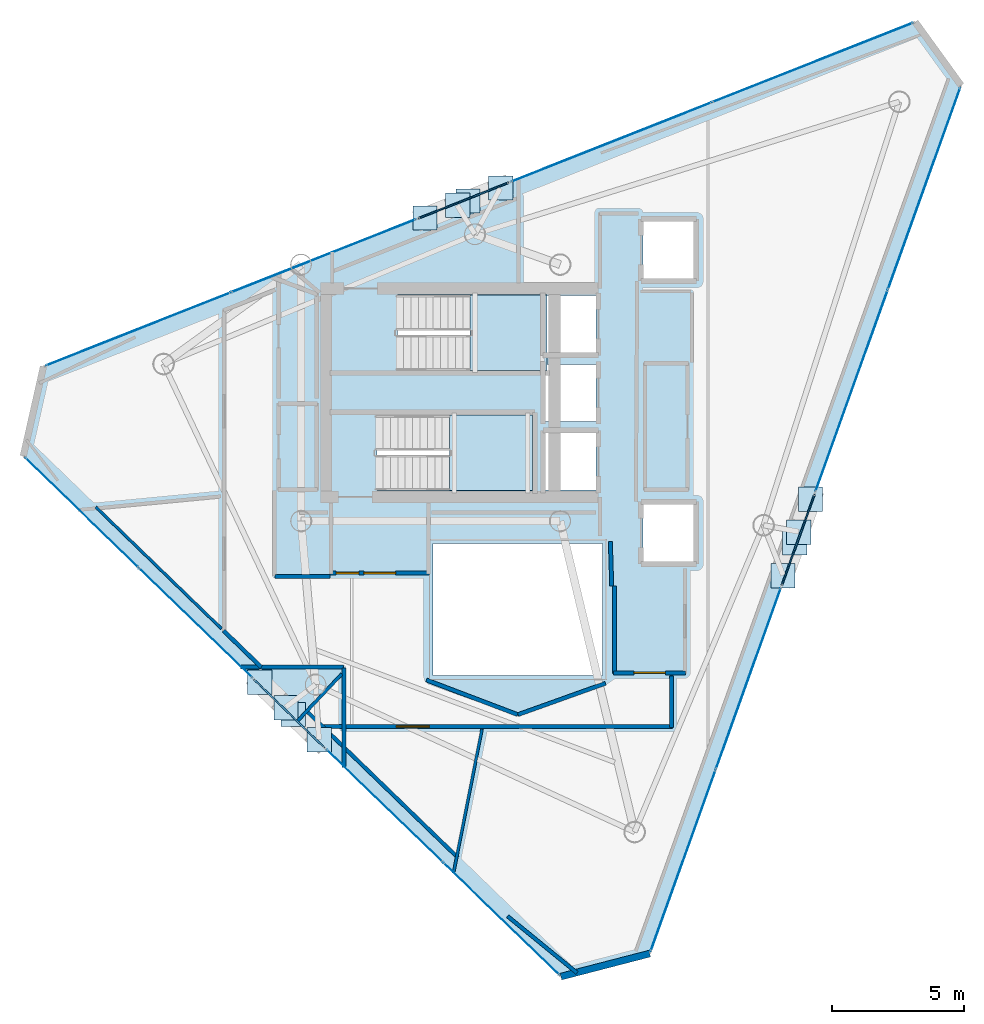
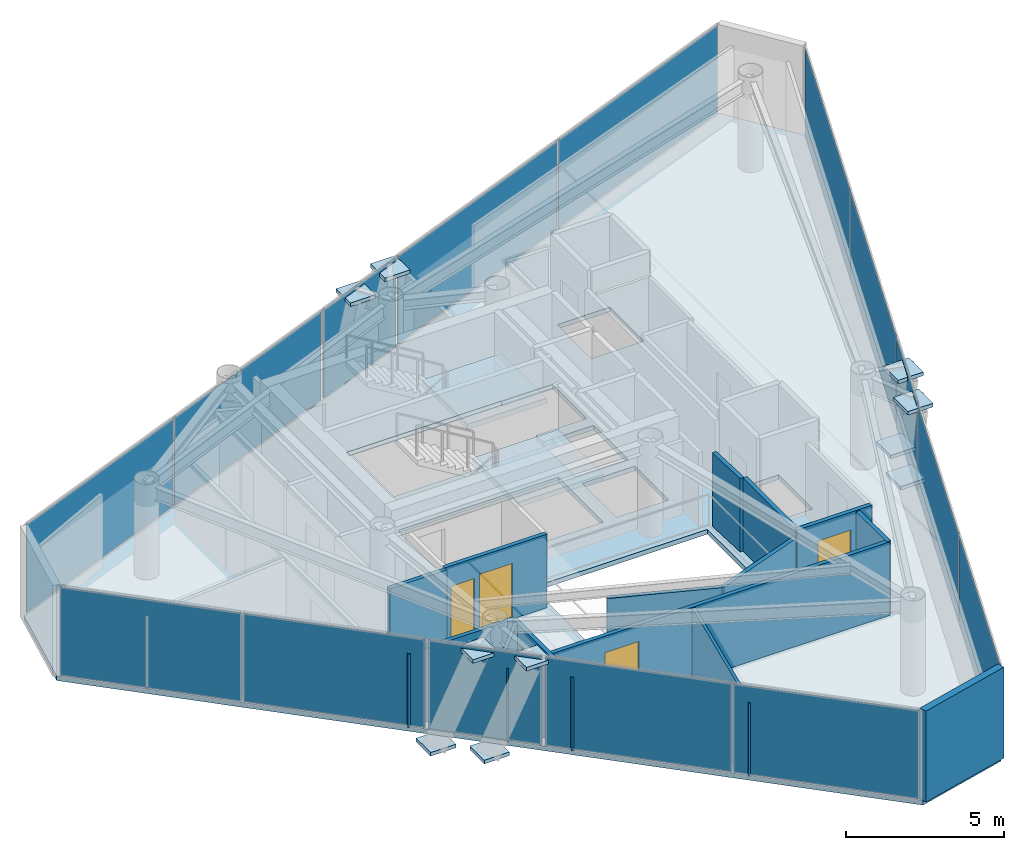
# One storey, part 15 of 19: 27 plates, 18 walls, 4 doors, 3 slabs, 4 openings, 11 elements without a shape of their own.
"""IFC4 building model written with IfcOpenShell, lengths in metres."""

from ifc_helpers import new_model, si_unit, direction, frame, frame_2d, origin, origin_2d, place, context, subcontext, project, spatial, polyline, rectangle, outline, extrude, material, layer, layer_set, type_object, element, fill, aggregate, save


model = new_model("IFC4")

# Units and contexts
model_context = context("Model", 3, precision=1e-05, world=origin(), true_north=direction((0.0, 1.0)))
body_context = subcontext(model_context, "Body", "Model", "MODEL_VIEW")
ifc_project = project(units=[si_unit("LENGTHUNIT", "METRE"), si_unit("AREAUNIT", "SQUARE_METRE"), si_unit("VOLUMEUNIT", "CUBIC_METRE"), si_unit("PLANEANGLEUNIT", "RADIAN"), si_unit("MASSUNIT", "GRAM", prefix="KILO")], contexts=[model_context])

# Site, building, storey
site_placement = place(None, origin())
site = spatial("IfcSite", under=ifc_project, at=site_placement, CompositionType="ELEMENT")
building_placement = place(site_placement, origin())
building = spatial("IfcBuilding", under=site, at=building_placement, Name="Qianvela Tower", CompositionType="ELEMENT")
storey_placement = place(building_placement, frame((0.0, 0.0, 344.39990234375)))
storey = spatial("IfcBuildingStorey", under=building, at=storey_placement, Name="L89", CompositionType="ELEMENT", Elevation=344.39990234375)

# Curtain wall, plate
ifc_material_1 = material(Name="Anodised Architectural Aluminium and Insulated Spandrel Panel", Category="aluminium")
ifc_layer_1 = layer(ifc_material_1, 0.179931640625)
ifc_layer_set_1 = layer_set([ifc_layer_1], Name="Anodised Architectural Aluminium and Insulated Spandrel Panel")
curtain_wall_type_1 = type_object("IfcCurtainWallType", Name="CW-BRACEBAY", PredefinedType="USERDEFINED", material=ifc_layer_set_1)
curtain_wall_1_placement = place(storey_placement, origin())
curtain_wall_1 = element("IfcCurtainWall", 1, at=curtain_wall_1_placement, inside=storey, type_object=curtain_wall_type_1, Name="L89 CW-BRACEBAY Curtain Wall 02B", ObjectType="CURTAIN_WALL_SYSTEM", PredefinedType="USERDEFINED")
ifc_material_2 = material(Name="Insulated Aluminium Spandrel Panel with Mineral-Wool Backpan", Category="aluminium")
ifc_layer_2 = layer(ifc_material_2, 0.06005859375)
ifc_layer_set_2 = layer_set([ifc_layer_2], Name="Insulated Aluminium Spandrel Panel with Mineral-Wool Backpan")
plate_type_1 = type_object("IfcPlateType", Name="CW-BRACEBAY-PNL", PredefinedType="CURTAIN_PANEL", material=ifc_layer_set_2)
plate_1_placement = place(storey_placement, frame((34.748779296875, 35.97412109375, 0.06494140625), z_axis=(0.0, 0.0, 1.0), x_axis=(-0.929982957315, -0.367602637508, 0.0)))
plate_1 = element("IfcPlate", 2, at=plate_1_placement, type_object=plate_type_1, Name="CW-9 panel 1.1", PredefinedType="CURTAIN_PANEL", context=body_context, shape_type="SweptSolid", body=[
    extrude(rectangle(XDim=3.659912109375, YDim=0.06005859375, at=origin_2d()), origin(), (0.0, 0.0, 1.0), 3.389892578125),
])
aggregate(curtain_wall_1, [plate_1])

curtain_wall_2_placement = place(storey_placement, origin())
curtain_wall_2 = element("IfcCurtainWall", 3, at=curtain_wall_2_placement, inside=storey, type_object=curtain_wall_type_1, Name="L89 CW-BRACEBAY Curtain Wall 04B", ObjectType="CURTAIN_WALL_SYSTEM", PredefinedType="USERDEFINED")
plate_2_placement = place(storey_placement, frame((28.157958984375, 16.563232421875, 0.06494140625), z_axis=(0.0, 0.0, 1.0), x_axis=(0.71836050155, -0.695671035628, 0.0)))
plate_2 = element("IfcPlate", 4, at=plate_2_placement, type_object=plate_type_1, Name="CW-9 panel 1.1", PredefinedType="CURTAIN_PANEL", context=body_context, shape_type="SweptSolid", body=[
    extrude(rectangle(XDim=3.699951171875, YDim=0.06005859375, at=origin_2d()), origin(), (0.0, 0.0, 1.0), 3.389892578125),
])
aggregate(curtain_wall_2, [plate_2])

curtain_wall_3_placement = place(storey_placement, origin())
curtain_wall_3 = element("IfcCurtainWall", 5, at=curtain_wall_3_placement, inside=storey, type_object=curtain_wall_type_1, Name="L89 CW-BRACEBAY Curtain Wall 06B", ObjectType="CURTAIN_WALL_SYSTEM", PredefinedType="USERDEFINED")
plate_3_placement = place(storey_placement, frame((47.403564453125, 23.142578125, 0.06494140625), z_axis=(0.0, 0.0, 1.0), x_axis=(0.337536044009, 0.94131260429, 0.0)))
plate_3 = element("IfcPlate", 6, at=plate_3_placement, type_object=plate_type_1, Name="CW-9 panel 1.1", PredefinedType="CURTAIN_PANEL", context=body_context, shape_type="SweptSolid", body=[
    extrude(rectangle(XDim=3.650146484375, YDim=0.06005859375, at=origin_2d()), origin(), (0.0, 0.0, 1.0), 3.389892578125),
])
aggregate(curtain_wall_3, [plate_3])

# Curtain wall, plates
ifc_material_3 = material(Name="Anodised Architectural Aluminium and Low-E Glass", Category="aluminium")
ifc_layer_3 = layer(ifc_material_3, 0.14990234375)
ifc_layer_set_3 = layer_set([ifc_layer_3], Name="Anodised Architectural Aluminium and Low-E Glass")
curtain_wall_type_2 = type_object("IfcCurtainWallType", Name="CW-COLIV-Z78", PredefinedType="USERDEFINED", material=ifc_layer_set_3)
curtain_wall_4_placement = place(storey_placement, origin())
curtain_wall_4 = element("IfcCurtainWall", 7, at=curtain_wall_4_placement, inside=storey, type_object=curtain_wall_type_2, Name="L89 CW-COLIV-Z78 Curtain Wall 02A", ObjectType="CURTAIN_WALL_SYSTEM", PredefinedType="USERDEFINED")
ifc_material_4 = material(Name="Double-Silver Low-E Insulated Glass", Category="glass")
ifc_layer_4 = layer(ifc_material_4, 0.02587890625)
ifc_layer_set_4 = layer_set([ifc_layer_4], Name="Double-Silver Low-E Insulated Glass")
plate_type_2 = type_object("IfcPlateType", Name="CW-COLIV-Z78-PNL", PredefinedType="CURTAIN_PANEL", material=ifc_layer_set_4)
plate_4_placement = place(storey_placement, frame((47.949951171875, 41.19189453125, 0.06005859375), z_axis=(0.0, 0.0, 1.0), x_axis=(-0.92998851339, -0.36758858111, 0.0)))
plate_4 = element("IfcPlate", 8, at=plate_4_placement, type_object=plate_type_2, Name="CW-6 panel 1.1", PredefinedType="CURTAIN_PANEL", context=body_context, shape_type="SweptSolid", body=[
    extrude(rectangle(XDim=8.119873046875, YDim=0.02587890625, at=origin_2d()), origin(), (0.0, 0.0, 1.0), 3.39990234375),
])
plate_5_placement = place(storey_placement, frame((40.3427734375, 38.18505859375, 0.06005859375), z_axis=(0.0, 0.0, 1.0), x_axis=(-0.92998851339, -0.36758858111, 0.0)))
plate_5 = element("IfcPlate", 9, at=plate_5_placement, type_object=plate_type_2, Name="CW-6 panel 2.1", PredefinedType="CURTAIN_PANEL", context=body_context, shape_type="SweptSolid", body=[
    extrude(rectangle(XDim=8.119873046875, YDim=0.02587890625, at=origin_2d()), origin(), (0.0, 0.0, 1.0), 3.39990234375),
])
aggregate(curtain_wall_4, [plate_4, plate_5])

curtain_wall_5_placement = place(storey_placement, origin())
curtain_wall_5 = element("IfcCurtainWall", 10, at=curtain_wall_5_placement, inside=storey, type_object=curtain_wall_type_2, Name="L89 CW-COLIV-Z78 Curtain Wall 02C", ObjectType="CURTAIN_WALL_SYSTEM", PredefinedType="USERDEFINED")
plate_6_placement = place(storey_placement, frame((29.45263671875, 33.880615234375, 0.06005859375), z_axis=(0.0, 0.0, 1.0), x_axis=(-0.929988552955, -0.367588481011, 0.0)))
plate_6 = element("IfcPlate", 11, at=plate_6_placement, type_object=plate_type_2, Name="CW-6 panel 1.1", PredefinedType="CURTAIN_PANEL", context=body_context, shape_type="SweptSolid", body=[
    extrude(rectangle(XDim=7.47998046875, YDim=0.02587890625, at=origin_2d()), origin(), (0.0, 0.0, 1.0), 3.39990234375),
])
plate_7_placement = place(storey_placement, frame((22.440673828125, 31.109130859375, 0.06005859375), z_axis=(0.0, 0.0, 1.0), x_axis=(-0.929988552955, -0.367588481011, 0.0)))
plate_7 = element("IfcPlate", 12, at=plate_7_placement, type_object=plate_type_2, Name="CW-6 panel 2.1", PredefinedType="CURTAIN_PANEL", context=body_context, shape_type="SweptSolid", body=[
    extrude(rectangle(XDim=7.47998046875, YDim=0.02587890625, at=origin_2d()), origin(), (0.0, 0.0, 1.0), 3.39990234375),
])
aggregate(curtain_wall_5, [plate_6, plate_7])

curtain_wall_6_placement = place(storey_placement, origin())
curtain_wall_6 = element("IfcCurtainWall", 13, at=curtain_wall_6_placement, inside=storey, type_object=curtain_wall_type_2, Name="L89 CW-COLIV-Z78 Curtain Wall 04A", ObjectType="CURTAIN_WALL_SYSTEM", PredefinedType="USERDEFINED")
plate_8_placement = place(storey_placement, frame((20.30615234375, 24.166748046875, 0.06005859375), z_axis=(0.0, 0.0, 1.0), x_axis=(0.71837355213, -0.695657559148, 0.0)))
plate_8 = element("IfcPlate", 14, at=plate_8_placement, type_object=plate_type_2, Name="CW-6 panel 1.1", PredefinedType="CURTAIN_PANEL", context=body_context, shape_type="SweptSolid", body=[
    extrude(rectangle(XDim=5.929931640625, YDim=0.02587890625, at=origin_2d()), origin(), (0.0, 0.0, 1.0), 3.39990234375),
])
plate_9_placement = place(storey_placement, frame((24.609130859375, 19.999755859375, 0.06005859375), z_axis=(0.0, 0.0, 1.0), x_axis=(0.71837355213, -0.695657559148, 0.0)))
plate_9 = element("IfcPlate", 15, at=plate_9_placement, type_object=plate_type_2, Name="CW-6 panel 2.1", PredefinedType="CURTAIN_PANEL", context=body_context, shape_type="SweptSolid", body=[
    extrude(rectangle(XDim=5.929931640625, YDim=0.02587890625, at=origin_2d()), origin(), (0.0, 0.0, 1.0), 3.39990234375),
])
aggregate(curtain_wall_6, [plate_8, plate_9])

curtain_wall_7_placement = place(storey_placement, origin())
curtain_wall_7 = element("IfcCurtainWall", 16, at=curtain_wall_7_placement, inside=storey, type_object=curtain_wall_type_2, Name="L89 CW-COLIV-Z78 Curtain Wall 04C", ObjectType="CURTAIN_WALL_SYSTEM", PredefinedType="USERDEFINED")
plate_10_placement = place(storey_placement, frame((31.759033203125, 13.07568359375, 0.06005859375), z_axis=(0.0, 0.0, 1.0), x_axis=(0.71837178289, -0.695659386156, 0.0)))
plate_10 = element("IfcPlate", 17, at=plate_10_placement, type_object=plate_type_2, Name="CW-6 panel 1.1", PredefinedType="CURTAIN_PANEL", context=body_context, shape_type="SweptSolid", body=[
    extrude(rectangle(XDim=6.076171875, YDim=0.02587890625, at=origin_2d()), origin(), (0.0, 0.0, 1.0), 3.39990234375),
])
plate_11_placement = place(storey_placement, frame((36.167236328125, 8.80712890625, 0.06005859375), z_axis=(0.0, 0.0, 1.0), x_axis=(0.71837178289, -0.695659386156, 0.0)))
plate_11 = element("IfcPlate", 18, at=plate_11_placement, type_object=plate_type_2, Name="CW-6 panel 2.1", PredefinedType="CURTAIN_PANEL", context=body_context, shape_type="SweptSolid", body=[
    extrude(rectangle(XDim=6.076171875, YDim=0.02587890625, at=origin_2d()), origin(), (0.0, 0.0, 1.0), 3.39990234375),
])
aggregate(curtain_wall_7, [plate_10, plate_11])

curtain_wall_8_placement = place(storey_placement, origin())
curtain_wall_8 = element("IfcCurtainWall", 19, at=curtain_wall_8_placement, inside=storey, type_object=curtain_wall_type_2, Name="L89 CW-COLIV-Z78 Curtain Wall 06A", ObjectType="CURTAIN_WALL_SYSTEM", PredefinedType="USERDEFINED")
plate_12_placement = place(storey_placement, frame((43.052001953125, 11.006591796875, 0.06005859375), z_axis=(0.0, 0.0, 1.0), x_axis=(0.337537550351, 0.941312064144, 0.0)))
plate_12 = element("IfcPlate", 20, at=plate_12_placement, type_object=plate_type_2, Name="CW-6 panel 1.1", PredefinedType="CURTAIN_PANEL", context=body_context, shape_type="SweptSolid", body=[
    extrude(rectangle(XDim=7.2548828125, YDim=0.02587890625, at=origin_2d()), origin(), (0.0, 0.0, 1.0), 3.39990234375),
])
plate_13_placement = place(storey_placement, frame((45.52099609375, 17.892333984375, 0.06005859375), z_axis=(0.0, 0.0, 1.0), x_axis=(0.337537550351, 0.941312064144, 0.0)))
plate_13 = element("IfcPlate", 21, at=plate_13_placement, type_object=plate_type_2, Name="CW-6 panel 2.1", PredefinedType="CURTAIN_PANEL", context=body_context, shape_type="SweptSolid", body=[
    extrude(rectangle(XDim=7.2548828125, YDim=0.02587890625, at=origin_2d()), origin(), (0.0, 0.0, 1.0), 3.39990234375),
])
aggregate(curtain_wall_8, [plate_12, plate_13])

curtain_wall_9_placement = place(storey_placement, origin())
curtain_wall_9 = element("IfcCurtainWall", 22, at=curtain_wall_9_placement, inside=storey, type_object=curtain_wall_type_2, Name="L89 CW-COLIV-Z78 Curtain Wall 06C", ObjectType="CURTAIN_WALL_SYSTEM", PredefinedType="USERDEFINED")
plate_14_placement = place(storey_placement, frame((49.42333984375, 28.77490234375, 0.06005859375), z_axis=(0.0, 0.0, 1.0), x_axis=(0.337537954061, 0.941311919381, 0.0)))
plate_14 = element("IfcPlate", 23, at=plate_14_placement, type_object=plate_type_2, Name="CW-6 panel 1.1", PredefinedType="CURTAIN_PANEL", context=body_context, shape_type="SweptSolid", body=[
    extrude(rectangle(XDim=8.06689453125, YDim=0.02587890625, at=origin_2d()), origin(), (0.0, 0.0, 1.0), 3.39990234375),
])
plate_15_placement = place(storey_placement, frame((52.16650390625, 36.4248046875, 0.06005859375), z_axis=(0.0, 0.0, 1.0), x_axis=(0.337537954061, 0.941311919381, 0.0)))
plate_15 = element("IfcPlate", 24, at=plate_15_placement, type_object=plate_type_2, Name="CW-6 panel 2.1", PredefinedType="CURTAIN_PANEL", context=body_context, shape_type="SweptSolid", body=[
    extrude(rectangle(XDim=8.06689453125, YDim=0.02587890625, at=origin_2d()), origin(), (0.0, 0.0, 1.0), 3.39990234375),
])
aggregate(curtain_wall_9, [plate_14, plate_15])

# Plates
ifc_material_5 = material(Name="Steel Q420GJC", Category="steel")
ifc_layer_5 = layer(ifc_material_5, 0.139892578125)
ifc_layer_set_5 = layer_set([ifc_layer_5], Name="Steel Q420GJC")
plate_type_3 = type_object("IfcPlateType", Name="PT-GUSSET-NODE-140", PredefinedType="USERDEFINED", material=ifc_layer_set_5)
for number, where, z_axis, x_axis, name in (
    (25, (34.916259765625, 35.9541015625, -0.61328125), (0.0, 0.0, 1.0), (1.0, 0.0, 0.0), "L89 Node Gusset Plate A"),
    (26, (36.156494140625, 36.4443359375, 3.20947265625), (0.0, 0.0, 1.0), (1.0, 0.0, 0.0), "L89 Node Gusset Plate B"),
    (27, (33.28662109375, 35.309814453125, -0.61328125), (0.0, 0.0, 1.0), (1.0, 0.0, 0.0), "L89 Node Gusset Plate A"),
    (28, (34.526611328125, 35.80029296875, 3.20947265625), (0.0, 0.0, 1.0), (1.0, 0.0, 0.0), "L89 Node Gusset Plate B"),
    (29, (27.042236328125, 17.7548828125, -0.61279296875), (0.0, 0.0, 1.0), (1.0, 0.0, 0.0), "L89 Node Gusset Plate A"),
    (30, (28.0341796875, 16.794189453125, 3.20947265625), (0.0, 0.0, 1.0), (1.0, 0.0, 0.0), "L89 Node Gusset Plate B"),
    (31, (28.301025390625, 16.535888671875, -0.61279296875), (0.0, 0.0, 1.0), (1.0, 0.0, 0.0), "L89 Node Gusset Plate A"),
    (32, (29.293212890625, 15.574951171875, 3.20947265625), (0.0, 0.0, 1.0), (1.0, 0.0, 0.0), "L89 Node Gusset Plate B"),
    (33, (47.278564453125, 23.03076171875, -0.61328125), (0.0, 0.0, 1.0), (1.0, 0.0, 0.0), "L89 Node Gusset Plate A"),
    (34, (46.8291015625, 21.777099609375, 3.20947265625), (0.0, 0.0, 1.0), (1.0, 0.0, 0.0), "L89 Node Gusset Plate B"),
    (35, (47.8701171875, 24.680419921875, -0.61328125), (0.0, 0.0, 1.0), (1.0, 0.0, 0.0), "L89 Node Gusset Plate A"),
    (36, (47.420654296875, 23.4267578125, 3.20947265625), (0.0, 0.0, 1.0), (1.0, 0.0, 0.0), "L89 Node Gusset Plate B"),
):
    element("IfcPlate", number, at=place(storey_placement, frame(where, z_axis=z_axis, x_axis=x_axis)), inside=storey, type_object=plate_type_3, Name=name, ObjectType="GUSSET_PLATE", PredefinedType="USERDEFINED", context=body_context, shape_type="SweptSolid", body=[
        extrude(rectangle(XDim=0.919921875, YDim=0.919921875, at=origin_2d()), origin(), (0.0, 0.0, 1.0), 0.139892578125),
    ])

# Slab
ifc_material_6 = material(Name="Concrete C40", Category="concrete")
ifc_layer_6 = layer(ifc_material_6, 0.179931640625)
ifc_layer_set_6 = layer_set([ifc_layer_6], Name="Concrete C40")
slab_type_1 = type_object("IfcSlabType", Name="SL-FLOOR-180", PredefinedType="FLOOR", material=ifc_layer_set_6)
slab_1_placement = place(storey_placement, frame((0.0, 0.0, -0.179931640625)))
element("IfcSlab", 37, at=slab_1_placement, inside=storey, type_object=slab_type_1, Name="L89 Composite Structural Floor Slab", PredefinedType="FLOOR", context=body_context, shape_type="SweptSolid", body=[
    extrude(outline(polyline([(53.56494140625, 40.324951171875), (51.828125, 42.724853515625), (18.8603515625, 29.69384765625), (18.09716796875, 26.305908203125), (38.4287109375, 6.616943359375), (41.790283203125, 7.488525390625), (53.56494140625, 40.324951171875)]), holes=[polyline([(40.0, 23.0), (33.60009765625, 23.0), (33.60009765625, 18.0), (40.0, 18.0), (40.0, 23.0)]), polyline([(43.4599609375, 24.47998046875), (41.5400390625, 24.47998046875), (41.5400390625, 22.320068359375), (43.4599609375, 22.320068359375), (43.4599609375, 24.47998046875)]), polyline([(39.760009765625, 27.179931640625), (37.840087890625, 27.179931640625), (37.840087890625, 25.02001953125), (39.760009765625, 25.02001953125), (39.760009765625, 27.179931640625)]), polyline([(37.35009765625, 27.860107421875), (31.469970703125, 27.860107421875), (31.469970703125, 25.0), (37.35009765625, 25.0), (37.35009765625, 27.860107421875)]), polyline([(39.760009765625, 27.6201171875), (39.760009765625, 29.780029296875), (37.89990234375, 29.780029296875), (37.89990234375, 30.219970703125), (39.760009765625, 30.219970703125), (39.760009765625, 32.3798828125), (37.89990234375, 32.3798828125), (37.89990234375, 32.39990234375), (32.25, 32.39990234375), (32.25, 29.5400390625), (37.840087890625, 29.5400390625), (37.840087890625, 27.6201171875), (39.760009765625, 27.6201171875)]), polyline([(43.4599609375, 35.179931640625), (41.5400390625, 35.179931640625), (41.5400390625, 33.02001953125), (43.4599609375, 33.02001953125), (43.4599609375, 35.179931640625)])]), origin(), (0.0, 0.0, 1.0), 0.179931640625),
])

# Stair, slab
ifc_material_7 = material(Name="Concrete C40", Category="concrete")
stair_type = type_object("IfcStairType", Name="ST-DOGLEG-1350-R168-N22", PredefinedType="HALF_TURN_STAIR", material=ifc_material_7)
stair_1_placement = place(storey_placement, origin())
stair_1 = element("IfcStair", 38, at=stair_1_placement, inside=storey, type_object=stair_type, Name="L89 Smoke-Proof Core Stair ST-1", PredefinedType="HALF_TURN_STAIR")
ifc_material_8 = material(Name="Concrete C40", Category="concrete")
ifc_layer_7 = layer(ifc_material_8, 0.199951171875)
ifc_layer_set_7 = layer_set([ifc_layer_7], Name="Concrete C40")
slab_type_2 = type_object("IfcSlabType", Name="SL-STAIR-LANDING-200", PredefinedType="LANDING", material=ifc_layer_set_7)
slab_2_placement = place(storey_placement, frame((0.0, 0.0, 1.650146484375)))
slab_2 = element("IfcSlab", 39, at=slab_2_placement, type_object=slab_type_2, Name="ST-1 landing 1", PredefinedType="LANDING", context=body_context, shape_type="SweptSolid", body=[
    extrude(outline(polyline([(35.0, 29.5400390625), (37.89990234375, 29.5400390625), (37.89990234375, 32.39990234375), (35.0, 32.39990234375), (35.0, 29.5400390625)])), origin(), (0.0, 0.0, 1.0), 0.199951171875),
])
aggregate(stair_1, [slab_2])

stair_2_placement = place(storey_placement, origin())
stair_2 = element("IfcStair", 40, at=stair_2_placement, inside=storey, type_object=stair_type, Name="L89 Smoke-Proof Core Stair ST-2", PredefinedType="HALF_TURN_STAIR")
slab_3_placement = place(storey_placement, frame((0.0, 0.0, 1.650146484375)))
slab_3 = element("IfcSlab", 41, at=slab_3_placement, type_object=slab_type_2, Name="ST-2 landing 1", PredefinedType="LANDING", context=body_context, shape_type="SweptSolid", body=[
    extrude(outline(polyline([(34.219970703125, 25.0), (37.35009765625, 25.0), (37.35009765625, 27.860107421875), (34.219970703125, 27.860107421875), (34.219970703125, 25.0)])), origin(), (0.0, 0.0, 1.0), 0.199951171875),
])
aggregate(stair_2, [slab_3])

# Wall
ifc_material_9 = material(Name="Terracotta Cladding on Concrete C40", Category="masonry")
ifc_layer_8 = layer(ifc_material_9, 0.260009765625)
ifc_layer_set_8 = layer_set([ifc_layer_8], Name="Terracotta Cladding on Concrete C40")
wall_type_1 = type_object("IfcWallType", Name="TERRACOTTA-WALL-260", PredefinedType="SOLIDWALL", material=ifc_layer_set_8)
wall_1_placement = place(storey_placement, frame((38.4287109375, 6.616943359375, 0.0), z_axis=(0.0, 0.0, 1.0), x_axis=(0.967992470235, 0.250979237326, 0.0)))
element("IfcWall", 42, at=wall_1_placement, inside=storey, type_object=wall_type_1, Name="L89 Terracotta Chamfer Facet Wall 5", PredefinedType="SOLIDWALL", context=body_context, shape_type="SweptSolid", body=[
    extrude(rectangle(XDim=3.47265625, YDim=0.260009765625, at=frame_2d((1.736328125, 0.0))), origin(), (0.0, 0.0, 1.0), 3.52001953125),
])

# Wall, openings, doors
ifc_material_10 = material(Name="Fire-Rated Acoustic Gypsum Board")
ifc_layer_9 = layer(ifc_material_10, 0.14990234375)
ifc_layer_set_9 = layer_set([ifc_layer_9], Name="Fire-Rated Acoustic Gypsum Board")
wall_type_2 = type_object("IfcWallType", Name="WT-CORR-150", PredefinedType="PARTITIONING", material=ifc_layer_set_9)
wall_2_placement = place(storey_placement, frame((33.449951171875, 21.881103515625, 0.0), z_axis=(0.0, 0.0, 1.0), x_axis=(-1.0, 0.0, 0.0)))
wall_2 = element("IfcWall", 43, at=wall_2_placement, inside=storey, type_object=wall_type_2, Name="L89 Partition 5", PredefinedType="PARTITIONING", context=body_context, shape_type="SweptSolid", body=[
    extrude(rectangle(XDim=3.75, YDim=0.14990234375, at=frame_2d((1.875, 0.0))), origin(), (0.0, 0.0, 1.0), 2.840087890625),
])
opening_1_placement = place(wall_2_placement, frame((1.27490234375, 0.0, 0.0)))
opening_1 = element("IfcOpeningElement", 44, at=opening_1_placement, cuts=wall_2, Name="Opening D-LB1", PredefinedType="OPENING", context=body_context, shape_type="SweptSolid", body=[
    extrude(rectangle(XDim=1.199951171875, YDim=2.14990234375, at=frame_2d((0.60009765625, 1.074951171875))), frame((0.0, 0.0849609375, 0.0), z_axis=(0.0, -1.0, 0.0), x_axis=(1.0, 0.0, 0.0)), (0.0, 0.0, 1.0), 0.169921875),
])
opening_2_placement = place(wall_2_placement, frame((2.659912109375, 0.0, 0.0)))
opening_2 = element("IfcOpeningElement", 45, at=opening_2_placement, cuts=wall_2, Name="Opening D-LB2", PredefinedType="OPENING", context=body_context, shape_type="SweptSolid", body=[
    extrude(rectangle(XDim=0.860107421875, YDim=2.050048828125, at=frame_2d((0.43017578125, 1.02490234375))), frame((0.0, 0.0849609375, 0.0), z_axis=(0.0, -1.0, 0.0), x_axis=(1.0, 0.0, 0.0)), (0.0, 0.0, 1.0), 0.169921875),
])
ifc_material_11 = material(Name="Glazed Fire-Rated Steel Frame", Category="steel")
door_type_1 = type_object("IfcDoorType", Name="DT-LOBBY-FD90", OperationType="NOTDEFINED", PredefinedType="DOOR", material=ifc_material_11)
door_1_placement = place(opening_1_placement, origin())
door_1 = element("IfcDoor", 46, at=door_1_placement, inside=storey, type_object=door_type_1, Name="L89 Door L89 Firefighting Lobby South to L89 Floor Corridor", OperationType="SINGLE_SWING_LEFT", OverallHeight=2.14990234375, OverallWidth=1.199951171875, PredefinedType="DOOR", context=body_context, shape_type="SweptSolid", body=[
    extrude(rectangle(XDim=1.199951171875, YDim=2.14990234375, at=frame_2d((0.60009765625, 1.074951171875))), frame((0.0, 0.02490234375, 0.0), z_axis=(0.0, -1.0, 0.0), x_axis=(1.0, 0.0, 0.0)), (0.0, 0.0, 1.0), 0.050048828125),
])
fill(opening_1, door_1)
ifc_material_12 = material(Name="Insulated Steel Fire Door Q355B", Category="steel")
door_type_2 = type_object("IfcDoorType", Name="DT-LOBBY-FD90-860", OperationType="NOTDEFINED", PredefinedType="DOOR", material=ifc_material_12)
door_2_placement = place(opening_2_placement, origin())
door_2 = element("IfcDoor", 47, at=door_2_placement, inside=storey, type_object=door_type_2, Name="L89 Door L89 Firefighting Lobby South to L89 Floor Corridor", OperationType="SINGLE_SWING_LEFT", OverallHeight=2.050048828125, OverallWidth=0.860107421875, PredefinedType="DOOR", context=body_context, shape_type="SweptSolid", body=[
    extrude(rectangle(XDim=0.860107421875, YDim=2.050048828125, at=frame_2d((0.43017578125, 1.02490234375))), frame((0.0, 0.02490234375, 0.0), z_axis=(0.0, -1.0, 0.0), x_axis=(1.0, 0.0, 0.0)), (0.0, 0.0, 1.0), 0.050048828125),
])
fill(opening_2, door_2)

# Wall
wall_3_placement = place(storey_placement, frame((40.35107421875, 21.40087890625, 0.0), z_axis=(0.0, 0.0, 1.0), x_axis=(-0.031058045979, 0.999517582527, 0.0)))
element("IfcWall", 48, at=wall_3_placement, inside=storey, type_object=wall_type_2, Name="L89 Partition 9", PredefinedType="PARTITIONING", context=body_context, shape_type="SweptSolid", body=[
    extrude(rectangle(XDim=1.68212890625, YDim=0.14990234375, at=frame_2d((0.841064453125, 0.0))), origin(), (0.0, 0.0, 1.0), 2.840087890625),
])

# Wall, opening, door
wall_4_placement = place(storey_placement, frame((43.14990234375, 18.111083984375, 0.0), z_axis=(0.0, 0.0, 1.0), x_axis=(-1.0, 0.0, 0.0)))
wall_4 = element("IfcWall", 49, at=wall_4_placement, inside=storey, type_object=wall_type_2, Name="L89 Partition 17", PredefinedType="PARTITIONING", context=body_context, shape_type="SweptSolid", body=[
    extrude(rectangle(XDim=2.72998046875, YDim=0.14990234375, at=frame_2d((1.364990234375, 0.0))), origin(), (0.0, 0.0, 1.0), 2.840087890625),
])
opening_3_placement = place(wall_4_placement, frame((0.764892578125, 0.0, 0.0)))
opening_3 = element("IfcOpeningElement", 50, at=opening_3_placement, cuts=wall_4, Name="Opening D-LB1", PredefinedType="OPENING", context=body_context, shape_type="SweptSolid", body=[
    extrude(rectangle(XDim=1.199951171875, YDim=2.14990234375, at=frame_2d((0.60009765625, 1.074951171875))), frame((0.0, 0.0849609375, 0.0), z_axis=(0.0, -1.0, 0.0), x_axis=(1.0, 0.0, 0.0)), (0.0, 0.0, 1.0), 0.169921875),
])
door_3_placement = place(opening_3_placement, origin())
door_3 = element("IfcDoor", 51, at=door_3_placement, inside=storey, type_object=door_type_1, Name="L89 Door L89 Lift Lobby to L89 Floor Corridor", OperationType="SINGLE_SWING_RIGHT", OverallHeight=2.14990234375, OverallWidth=1.199951171875, PredefinedType="DOOR", context=body_context, shape_type="SweptSolid", body=[
    extrude(rectangle(XDim=1.199951171875, YDim=2.14990234375, at=frame_2d((0.60009765625, 1.074951171875))), frame((0.0, 0.02490234375, 0.0), z_axis=(0.0, -1.0, 0.0), x_axis=(1.0, 0.0, 0.0)), (0.0, 0.0, 1.0), 0.050048828125),
])
fill(opening_3, door_3)

# Walls
wall_5_placement = place(storey_placement, frame((40.450927734375, 18.080078125, 0.0), z_axis=(0.0, 0.0, 1.0), x_axis=(0.0, 1.0, 0.0)))
element("IfcWall", 52, at=wall_5_placement, inside=storey, type_object=wall_type_2, Name="L89 Partition 18 seg 1", PredefinedType="PARTITIONING", context=body_context, shape_type="SweptSolid", body=[
    extrude(rectangle(XDim=3.31982421875, YDim=0.14990234375, at=frame_2d((1.659912109375, 0.0))), origin(), (0.0, 0.0, 1.0), 2.840087890625),
])
wall_6_placement = place(storey_placement, frame((36.810302734375, 16.52880859375, 0.0), z_axis=(0.0, 0.0, 1.0), x_axis=(0.941548344365, 0.33687789364, 0.0)))
element("IfcWall", 53, at=wall_6_placement, inside=storey, type_object=wall_type_2, Name="L89 Partition 45", PredefinedType="PARTITIONING", context=body_context, shape_type="SweptSolid", body=[
    extrude(rectangle(XDim=3.5126953125, YDim=0.14990234375, at=frame_2d((1.75634765625, 0.0))), origin(), (0.0, 0.0, 1.0), 2.840087890625),
])
wall_7_placement = place(storey_placement, frame((42.618896484375, 17.97998046875, 0.0), z_axis=(0.0, 0.0, 1.0), x_axis=(0.0, -1.0, 0.0)))
element("IfcWall", 54, at=wall_7_placement, inside=storey, type_object=wall_type_2, Name="L89 Partition 47", PredefinedType="PARTITIONING", context=body_context, shape_type="SweptSolid", body=[
    extrude(rectangle(XDim=1.929931640625, YDim=0.14990234375, at=frame_2d((0.96484375, 0.0))), origin(), (0.0, 0.0, 1.0), 2.840087890625),
])

# Wall, opening, door
wall_8_placement = place(storey_placement, frame((42.64990234375, 16.0810546875, 0.0), z_axis=(0.0, 0.0, 1.0), x_axis=(-1.0, 0.0, 0.0)))
wall_8 = element("IfcWall", 55, at=wall_8_placement, inside=storey, type_object=wall_type_2, Name="L89 Partition 48", PredefinedType="PARTITIONING", context=body_context, shape_type="SweptSolid", body=[
    extrude(rectangle(XDim=14.01416015625, YDim=0.14990234375, at=frame_2d((7.007080078125, 0.0))), origin(), (0.0, 0.0, 1.0), 2.840087890625),
])
opening_4_placement = place(wall_8_placement, frame((9.19287109375, 0.0, 0.0)))
opening_4 = element("IfcOpeningElement", 56, at=opening_4_placement, cuts=wall_8, Name="Opening D-LG1", PredefinedType="OPENING", context=body_context, shape_type="SweptSolid", body=[
    extrude(rectangle(XDim=1.25, YDim=2.199951171875, at=frame_2d((0.625, 1.10009765625))), frame((0.0, 0.0849609375, 0.0), z_axis=(0.0, -1.0, 0.0), x_axis=(1.0, 0.0, 0.0)), (0.0, 0.0, 1.0), 0.169921875),
])
ifc_material_13 = material(Name="Anodised Aluminium Acoustic Glass Door", Category="aluminium")
door_type_3 = type_object("IfcDoorType", Name="DT-LOUNGE-1250", OperationType="NOTDEFINED", PredefinedType="DOOR", material=ifc_material_13)
door_4_placement = place(opening_4_placement, origin())
door_4 = element("IfcDoor", 57, at=door_4_placement, inside=storey, type_object=door_type_3, Name="L89 Door Maker Craft Workshop L89-02 to L89 Floor Corridor", OperationType="SINGLE_SWING_LEFT", OverallHeight=2.199951171875, OverallWidth=1.25, PredefinedType="DOOR", context=body_context, shape_type="SweptSolid", body=[
    extrude(rectangle(XDim=1.25, YDim=2.199951171875, at=frame_2d((0.625, 1.10009765625))), frame((0.0, 0.02490234375, 0.0), z_axis=(0.0, -1.0, 0.0), x_axis=(1.0, 0.0, 0.0)), (0.0, 0.0, 1.0), 0.050048828125),
])
fill(opening_4, door_4)

# Walls
wall_9_placement = place(storey_placement, frame((30.23095703125, 14.53564453125, 0.0), z_axis=(0.0, 0.0, 1.0), x_axis=(0.0, 1.0, 0.0)))
element("IfcWall", 58, at=wall_9_placement, inside=storey, type_object=wall_type_2, Name="L89 Partition 49", PredefinedType="PARTITIONING", context=body_context, shape_type="SweptSolid", body=[
    extrude(rectangle(XDim=3.764404296875, YDim=0.14990234375, at=frame_2d((1.88232421875, 0.0))), origin(), (0.0, 0.0, 1.0), 2.840087890625),
])
wall_10_placement = place(storey_placement, frame((30.199951171875, 18.3310546875, 0.0), z_axis=(0.0, 0.0, 1.0), x_axis=(-1.0, 0.0, 0.0)))
element("IfcWall", 59, at=wall_10_placement, inside=storey, type_object=wall_type_2, Name="L89 Partition 50", PredefinedType="PARTITIONING", context=body_context, shape_type="SweptSolid", body=[
    extrude(rectangle(XDim=3.8876953125, YDim=0.14990234375, at=frame_2d((1.94384765625, 0.0))), origin(), (0.0, 0.0, 1.0), 2.840087890625),
])
wall_11_placement = place(storey_placement, frame((27.097412109375, 18.322265625, 0.0), z_axis=(0.0, 0.0, 1.0), x_axis=(-0.718332421604, 0.695700030238, 0.0)))
element("IfcWall", 60, at=wall_11_placement, inside=storey, type_object=wall_type_2, Name="L89 Partition 51", PredefinedType="PARTITIONING", context=body_context, shape_type="SweptSolid", body=[
    extrude(rectangle(XDim=1.98486328125, YDim=0.14990234375, at=frame_2d((0.992431640625, 0.0))), origin(), (0.0, 0.0, 1.0), 2.840087890625),
])
wall_12_placement = place(storey_placement, frame((27.6201171875, 21.7490234375, 0.0), z_axis=(0.0, 0.0, 1.0), x_axis=(1.0, 0.0, 0.0)))
element("IfcWall", 61, at=wall_12_placement, inside=storey, type_object=wall_type_2, Name="L89 Partition 55 seg 1", PredefinedType="PARTITIONING", context=body_context, shape_type="SweptSolid", body=[
    extrude(rectangle(XDim=2.079833984375, YDim=0.14990234375, at=frame_2d((1.0400390625, 0.0))), origin(), (0.0, 0.0, 1.0), 2.840087890625),
])
wall_13_placement = place(storey_placement, frame((33.342041015625, 17.839111328125, 0.0), z_axis=(0.0, 0.0, 1.0), x_axis=(0.93476643205, -0.355262885076, 0.0)))
element("IfcWall", 62, at=wall_13_placement, inside=storey, type_object=wall_type_2, Name="L89 Partition 56", PredefinedType="PARTITIONING", context=body_context, shape_type="SweptSolid", body=[
    extrude(rectangle(XDim=3.6875, YDim=0.14990234375, at=frame_2d((1.84375, 0.0))), origin(), (0.0, 0.0, 1.0), 2.840087890625),
])
ifc_material_14 = material(Name="Lightweight Gypsum Room Partition")
ifc_layer_10 = layer(ifc_material_14, 0.10498046875)
ifc_layer_set_10 = layer_set([ifc_layer_10], Name="Lightweight Gypsum Room Partition")
wall_type_3 = type_object("IfcWallType", Name="WT-PART-105", PredefinedType="PARTITIONING", material=ifc_layer_set_10)
wall_14_placement = place(storey_placement, frame((25.591552734375, 19.780517578125, 0.0), z_axis=(0.0, 0.0, 1.0), x_axis=(-0.718360050571, 0.695671501316, 0.0)))
element("IfcWall", 63, at=wall_14_placement, inside=storey, type_object=wall_type_3, Name="L89 Partition 59", PredefinedType="PARTITIONING", context=body_context, shape_type="SweptSolid", body=[
    extrude(rectangle(XDim=6.61767578125, YDim=0.10498046875, at=frame_2d((3.308837890625, 0.0))), origin(), (0.0, 0.0, 1.0), 2.840087890625),
])
wall_15_placement = place(storey_placement, frame((35.443115234375, 15.97607421875, 0.0), z_axis=(0.0, 0.0, 1.0), x_axis=(-0.194002145434, -0.981001104774, 0.0)))
element("IfcWall", 64, at=wall_15_placement, inside=storey, type_object=wall_type_3, Name="L89 Partition 62", PredefinedType="PARTITIONING", context=body_context, shape_type="SweptSolid", body=[
    extrude(rectangle(XDim=5.553466796875, YDim=0.10498046875, at=frame_2d((2.77685546875, 0.0))), origin(), (0.0, 0.0, 1.0), 2.840087890625),
])
ifc_material_15 = material(Name="Insulated Gypsum Stud Partition")
ifc_layer_11 = layer(ifc_material_15, 0.1201171875)
ifc_layer_set_11 = layer_set([ifc_layer_11], Name="Insulated Gypsum Stud Partition")
wall_type_4 = type_object("IfcWallType", Name="WT-PART-120", PredefinedType="PARTITIONING", material=ifc_layer_set_11)
wall_16_placement = place(storey_placement, frame((28.44189453125, 16.26025390625, 0.0), z_axis=(0.0, 0.0, 1.0), x_axis=(0.684990400342, 0.728552092468, 0.0)))
element("IfcWall", 65, at=wall_16_placement, inside=storey, type_object=wall_type_4, Name="L89 Partition 64", PredefinedType="PARTITIONING", context=body_context, shape_type="SweptSolid", body=[
    extrude(rectangle(XDim=2.482666015625, YDim=0.1201171875, at=frame_2d((1.2412109375, 0.0))), origin(), (0.0, 0.0, 1.0), 2.840087890625),
])
ifc_material_16 = material(Name="Acoustic Double Gypsum Stud Partition")
ifc_layer_12 = layer(ifc_material_16, 0.139892578125)
ifc_layer_set_12 = layer_set([ifc_layer_12], Name="Acoustic Double Gypsum Stud Partition")
wall_type_5 = type_object("IfcWallType", Name="WT-ROOM-140", PredefinedType="PARTITIONING", material=ifc_layer_set_12)
wall_17_placement = place(storey_placement, frame((34.531982421875, 11.122802734375, 0.0), z_axis=(0.0, 0.0, 1.0), x_axis=(-0.71837052358, 0.695660686579, 0.0)))
element("IfcWall", 66, at=wall_17_placement, inside=storey, type_object=wall_type_5, Name="L89 Partition 63", PredefinedType="PARTITIONING", context=body_context, shape_type="SweptSolid", body=[
    extrude(rectangle(XDim=7.987548828125, YDim=0.139892578125, at=frame_2d((3.99365234375, 0.0))), origin(), (0.0, 0.0, 1.0), 2.840087890625),
])
wall_18_placement = place(storey_placement, frame((39.03955078125, 6.7578125, 0.0), z_axis=(0.0, 0.0, 1.0), x_axis=(-0.774505666342, 0.632566971004, 0.0)))
element("IfcWall", 67, at=wall_18_placement, inside=storey, type_object=wall_type_5, Name="L89 Partition 84 seg 1", PredefinedType="PARTITIONING", context=body_context, shape_type="SweptSolid", body=[
    extrude(rectangle(XDim=3.39013671875, YDim=0.139892578125, at=frame_2d((1.695068359375, 0.0))), origin(), (0.0, 0.0, 1.0), 2.840087890625),
])

save(model, "model.ifc")
